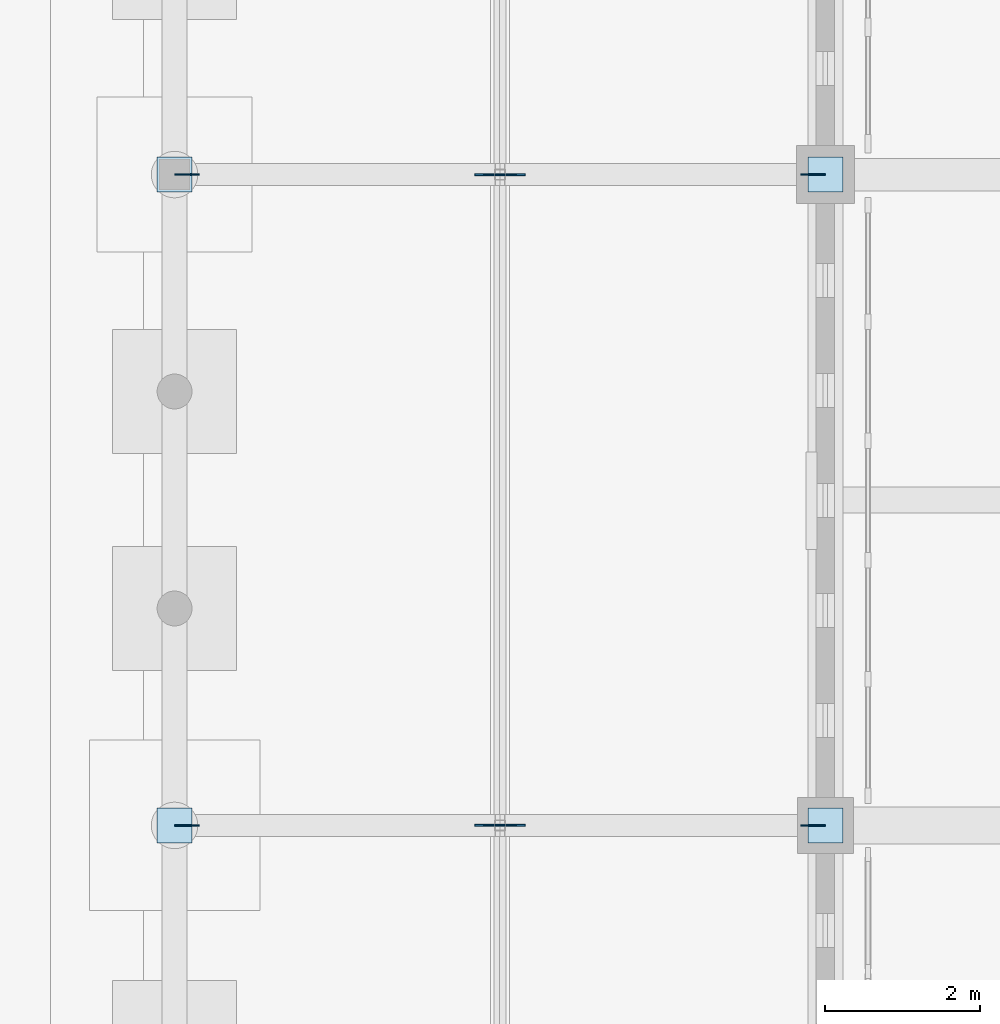
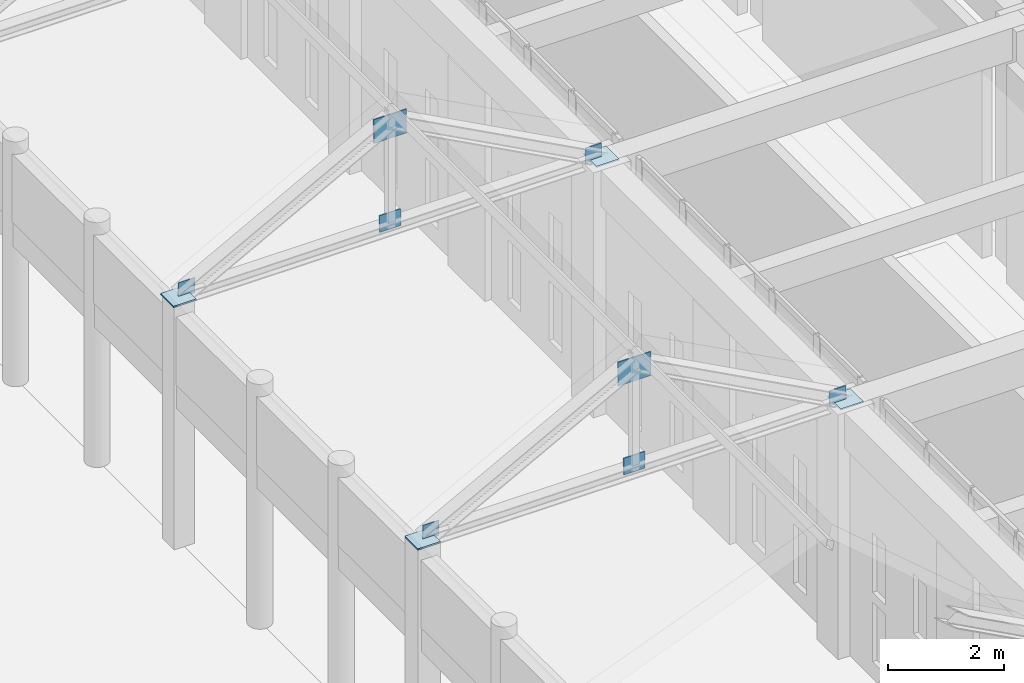
# One storey, part 96 of 143: 12 plates.
"""IFC4 building model written with IfcOpenShell, lengths in metres."""

from ifc_helpers import new_model, si_unit, direction, frame, origin, origin_2d, place, context, subcontext, project, spatial, rectangle, extrude, material, layer, layer_set, type_object, element, save


model = new_model("IFC4")

# Units and contexts
model_context = context("Model", 3, precision=1e-05, world=origin(), true_north=direction((0.0, 1.0)))
body_context = subcontext(model_context, "Body", "Model", "MODEL_VIEW")
ifc_project = project(units=[si_unit("LENGTHUNIT", "METRE"), si_unit("AREAUNIT", "SQUARE_METRE"), si_unit("VOLUMEUNIT", "CUBIC_METRE"), si_unit("PLANEANGLEUNIT", "RADIAN"), si_unit("MASSUNIT", "GRAM", prefix="KILO")], contexts=[model_context])

# Site, building, storey
site_placement = place(None, origin())
site = spatial("IfcSite", under=ifc_project, at=site_placement, CompositionType="ELEMENT")
building_placement = place(site_placement, origin())
building = spatial("IfcBuilding", under=site, at=building_placement, Name="Kveldsbrygga Polytechnic", CompositionType="ELEMENT")
storey_placement = place(building_placement, origin())
storey = spatial("IfcBuildingStorey", under=building, at=storey_placement, Name="L00", CompositionType="ELEMENT", Elevation=0.0)

# Plates
ifc_material = material(Name="Steel S355", Category="steel")
ifc_layer_1 = layer(ifc_material, 0.030029296875)
ifc_layer_set_1 = layer_set([ifc_layer_1], Name="Steel S355")
plate_type_1 = type_object("IfcPlateType", Name="CAP-BEAR-450", PredefinedType="SHEET", material=ifc_layer_set_1)
for number, where, z_axis, x_axis, name in (
    (1, (117.60009765625, 50.39990234375, 5.10986328125), (0.0, 0.0, 1.0), (1.0, 0.0, 0.0), "Truss Bearing Plate ARC-EE-T03-A"),
    (2, (126.0, 50.39990234375, 5.10986328125), (0.0, 0.0, 1.0), (1.0, 0.0, 0.0), "Truss Bearing Plate ARC-EE-T03-B"),
    (3, (117.60009765625, 58.800048828125, 5.10986328125), (0.0, 0.0, 1.0), (1.0, 0.0, 0.0), "Truss Bearing Plate ARC-EE-T04-A"),
    (4, (126.0, 58.800048828125, 5.10986328125), (0.0, 0.0, 1.0), (1.0, 0.0, 0.0), "Truss Bearing Plate ARC-EE-T04-B"),
):
    element("IfcPlate", number, at=place(storey_placement, frame(where, z_axis=z_axis, x_axis=x_axis)), inside=storey, type_object=plate_type_1, Name=name, PredefinedType="SHEET", context=body_context, shape_type="SweptSolid", body=[
        extrude(rectangle(XDim=0.449951171875, YDim=0.449951171875, at=origin_2d()), origin(), (0.0, 0.0, 1.0), 0.030029296875),
    ])
ifc_layer_2 = layer(ifc_material, 0.02490234375)
ifc_layer_set_2 = layer_set([ifc_layer_2], Name="Steel S355")
plate_type_2 = type_object("IfcPlateType", Name="GUS-APEX-650", PredefinedType="SHEET", material=ifc_layer_set_2)
for number, where, z_axis, x_axis, name in (
    (5, (121.800048828125, 50.39990234375, 6.989990234375), (0.0, 0.0, 1.0), (1.0, 0.0, 0.0), "Truss Gusset Plate ARC-EE-T03-GP-1"),
    (6, (121.800048828125, 58.800048828125, 6.989990234375), (0.0, 0.0, 1.0), (1.0, 0.0, 0.0), "Truss Gusset Plate ARC-EE-T04-GP-1"),
):
    element("IfcPlate", number, at=place(storey_placement, frame(where, z_axis=z_axis, x_axis=x_axis)), inside=storey, type_object=plate_type_2, Name=name, PredefinedType="SHEET", context=body_context, shape_type="SweptSolid", body=[
        extrude(rectangle(XDim=0.64990234375, YDim=0.02490234375, at=origin_2d()), origin(), (0.0, 0.0, 1.0), 0.5),
    ])
ifc_layer_3 = layer(ifc_material, 0.01806640625)
ifc_layer_set_3 = layer_set([ifc_layer_3], Name="Steel S355")
plate_type_3 = type_object("IfcPlateType", Name="GUS-BRACE-320", PredefinedType="SHEET", material=ifc_layer_set_3)
for number, where, z_axis, x_axis, name in (
    (7, (117.760009765625, 50.39990234375, 5.10009765625), (0.0, 0.0, 1.0), (1.0, 0.0, 0.0), "Truss Eaves Node Gusset ARC-EE-T03-EGP-A"),
    (8, (125.840087890625, 50.39990234375, 5.10009765625), (0.0, 0.0, 1.0), (1.0, 0.0, 0.0), "Truss Eaves Node Gusset ARC-EE-T03-EGP-B"),
    (9, (117.760009765625, 58.800048828125, 5.10009765625), (0.0, 0.0, 1.0), (1.0, 0.0, 0.0), "Truss Eaves Node Gusset ARC-EE-T04-EGP-A"),
    (10, (125.840087890625, 58.800048828125, 5.10009765625), (0.0, 0.0, 1.0), (1.0, 0.0, 0.0), "Truss Eaves Node Gusset ARC-EE-T04-EGP-B"),
):
    element("IfcPlate", number, at=place(storey_placement, frame(where, z_axis=z_axis, x_axis=x_axis)), inside=storey, type_object=plate_type_3, Name=name, PredefinedType="SHEET", context=body_context, shape_type="SweptSolid", body=[
        extrude(rectangle(XDim=0.320068359375, YDim=0.01806640625, at=origin_2d()), origin(), (0.0, 0.0, 1.0), 0.320068359375),
    ])
ifc_layer_4 = layer(ifc_material, 0.02001953125)
ifc_layer_set_4 = layer_set([ifc_layer_4], Name="Steel S355")
plate_type_4 = type_object("IfcPlateType", Name="GUS-LECT-420", PredefinedType="SHEET", material=ifc_layer_set_4)
for number, where, z_axis, x_axis, name in (
    (11, (121.800048828125, 50.39990234375, 5.0849609375), (0.0, 0.0, 1.0), (1.0, 0.0, 0.0), "Truss Bottom-Chord Node Gusset ARC-EE-T03-BGP-1"),
    (12, (121.800048828125, 58.800048828125, 5.0849609375), (0.0, 0.0, 1.0), (1.0, 0.0, 0.0), "Truss Bottom-Chord Node Gusset ARC-EE-T04-BGP-1"),
):
    element("IfcPlate", number, at=place(storey_placement, frame(where, z_axis=z_axis, x_axis=x_axis)), inside=storey, type_object=plate_type_4, Name=name, PredefinedType="SHEET", context=body_context, shape_type="SweptSolid", body=[
        extrude(rectangle(XDim=0.419921875, YDim=0.02001953125, at=origin_2d()), origin(), (0.0, 0.0, 1.0), 0.35009765625),
    ])

save(model, "model.ifc")
